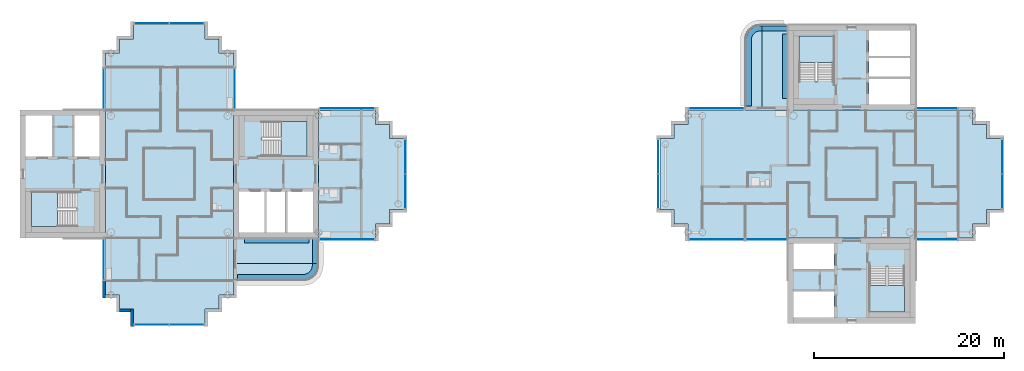
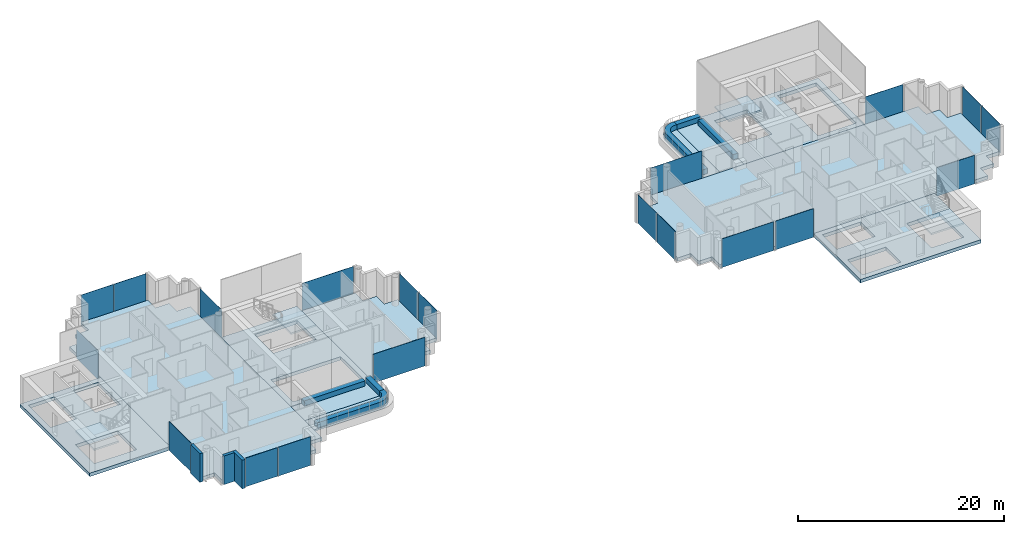
# One storey, part 5 of 18: 21 slabs, 20 plates, 3 walls, 19 elements without a shape of their own.
"""IFC4 building model written with IfcOpenShell, lengths in metres."""

from ifc_helpers import new_model, si_unit, direction, frame, frame_2d, origin, origin_2d, place, context, subcontext, project, spatial, polyline, rectangle, outline, extrude, material, layer, layer_set, type_object, element, aggregate, save


model = new_model("IFC4")

# Units and contexts
model_context = context("Model", 3, precision=1e-05, world=origin(), true_north=direction((0.0, 1.0)))
body_context = subcontext(model_context, "Body", "Model", "MODEL_VIEW")
ifc_project = project(units=[si_unit("LENGTHUNIT", "METRE"), si_unit("AREAUNIT", "SQUARE_METRE"), si_unit("VOLUMEUNIT", "CUBIC_METRE"), si_unit("PLANEANGLEUNIT", "RADIAN"), si_unit("MASSUNIT", "GRAM", prefix="KILO")], contexts=[model_context])

# Site, building, storey
site_placement = place(None, origin())
site = spatial("IfcSite", under=ifc_project, at=site_placement, CompositionType="ELEMENT")
building_placement = place(site_placement, origin())
building = spatial("IfcBuilding", under=site, at=building_placement, Name="Ipe Terrace Towers", CompositionType="ELEMENT")
storey_placement = place(building_placement, frame((0.0, 0.0, 226.60009765625)))
storey = spatial("IfcBuildingStorey", under=building, at=storey_placement, Name="L63", CompositionType="ELEMENT", Elevation=226.60009765625)

# Slabs
ifc_material_1 = material(Name="Concrete C30/37", Category="concrete")
ifc_layer_1 = layer(ifc_material_1, 0.199951171875)
ifc_layer_set_1 = layer_set([ifc_layer_1], Name="BALCONY SLAB 200")
slab_type_1 = type_object("IfcSlabType", Name="BALCONY SLAB 200", PredefinedType="FLOOR", material=ifc_layer_set_1)
slab_1_placement = place(storey_placement, frame((0.0, 0.0, -0.22021484375)))
element("IfcSlab", 1, at=slab_1_placement, inside=storey, type_object=slab_type_1, Name="balcony slab", PredefinedType="FLOOR", context=body_context, shape_type="SweptSolid", body=[
    extrude(outline(polyline([(-20.25, -6.75), (-29.25, -6.75), (-29.25, -9.449951171875), (-20.25, -9.449951171875), (-20.25, -6.75)])), origin(), (0.0, 0.0, 1.0), 0.2001953125),
])
slab_2_placement = place(storey_placement, frame((0.0, 0.0, -0.22021484375)))
element("IfcSlab", 2, at=slab_2_placement, inside=storey, type_object=slab_type_1, Name="balcony slab", PredefinedType="FLOOR", context=body_context, shape_type="SweptSolid", body=[
    extrude(outline(polyline([(-29.25, -11.25), (-21.85009765625, -11.25), (-21.64111328125, -11.236083984375), (-21.43603515625, -11.195068359375), (-21.238037109375, -11.1279296875), (-21.050048828125, -11.035888671875), (-20.8759765625, -10.9189453125), (-20.718994140625, -10.781005859375), (-20.5810546875, -10.6240234375), (-20.464111328125, -10.449951171875), (-20.3720703125, -10.261962890625), (-20.304931640625, -10.06396484375), (-20.263916015625, -9.85888671875), (-20.25, -9.64990234375), (-20.25, -9.449951171875), (-29.25, -9.449951171875), (-29.25, -11.25)])), origin(), (0.0, 0.0, 1.0), 0.2001953125),
])
slab_3_placement = place(storey_placement, frame((0.0, 0.0, -0.22021484375)))
element("IfcSlab", 3, at=slab_3_placement, inside=storey, type_object=slab_type_1, Name="balcony slab", PredefinedType="FLOOR", context=body_context, shape_type="SweptSolid", body=[
    extrude(outline(polyline([(29.25, 15.75), (26.550048828125, 15.75), (26.550048828125, 6.75), (29.25, 6.75), (29.25, 15.75)])), origin(), (0.0, 0.0, 1.0), 0.2001953125),
])
slab_4_placement = place(storey_placement, frame((0.0, 0.0, -0.22021484375)))
element("IfcSlab", 4, at=slab_4_placement, inside=storey, type_object=slab_type_1, Name="balcony slab", PredefinedType="FLOOR", context=body_context, shape_type="SweptSolid", body=[
    extrude(outline(polyline([(24.75, 6.75), (26.550048828125, 6.75), (26.550048828125, 15.75), (26.35009765625, 15.75), (26.14111328125, 15.736083984375), (25.93603515625, 15.695068359375), (25.738037109375, 15.6279296875), (25.550048828125, 15.535888671875), (25.3759765625, 15.4189453125), (25.218994140625, 15.281005859375), (25.0810546875, 15.1240234375), (24.964111328125, 14.949951171875), (24.8720703125, 14.761962890625), (24.804931640625, 14.56396484375), (24.763916015625, 14.35888671875), (24.75, 14.14990234375), (24.75, 6.75)])), origin(), (0.0, 0.0, 1.0), 0.2001953125),
])
ifc_material_2 = material(Name="Concrete C30/37", Category="concrete")
ifc_layer_2 = layer(ifc_material_2, 0.39990234375)
ifc_layer_set_2 = layer_set([ifc_layer_2], Name="CORE FLOOR SLAB 400 C30-37")
slab_type_2 = type_object("IfcSlabType", Name="CORE FLOOR SLAB 400 C30-37", PredefinedType="FLOOR", material=ifc_layer_set_2)
slab_5_placement = place(storey_placement, frame((0.0, 0.0, -0.400146484375)))
element("IfcSlab", 5, at=slab_5_placement, inside=storey, type_object=slab_type_2, Name="Core floor T1-C1", PredefinedType="FLOOR", context=body_context, shape_type="SweptSolid", body=[
    extrude(outline(polyline([(-29.25, -6.75), (-29.25, 6.75), (-20.25, 6.75), (-20.25, -6.75), (-29.25, -6.75)]), holes=[polyline([(-28.64990234375, -6.14990234375), (-20.85009765625, -6.14990234375), (-20.85009765625, -1.85009765625), (-28.64990234375, -1.85009765625), (-28.64990234375, -6.14990234375)]), polyline([(-26.199951171875, 5.550048828125), (-26.199951171875, 1.89990234375), (-21.449951171875, 1.89990234375), (-21.449951171875, 5.550048828125), (-26.199951171875, 5.550048828125)])]), origin(), (0.0, 0.0, 1.0), 0.400146484375),
])
slab_6_placement = place(storey_placement, frame((0.0, 0.0, -0.400146484375)))
element("IfcSlab", 6, at=slab_6_placement, inside=storey, type_object=slab_type_2, Name="Core floor T1-C2", PredefinedType="FLOOR", context=body_context, shape_type="SweptSolid", body=[
    extrude(outline(polyline([(-51.75, -6.75), (-51.75, 6.75), (-42.75, 6.75), (-42.75, -6.75), (-51.75, -6.75)]), holes=[polyline([(-45.800048828125, -1.89990234375), (-50.550048828125, -1.89990234375), (-50.550048828125, -5.550048828125), (-45.800048828125, -5.550048828125), (-45.800048828125, -1.89990234375)]), polyline([(-48.25, 1.85009765625), (-48.25, 6.14990234375), (-51.14990234375, 6.14990234375), (-51.14990234375, 1.85009765625), (-48.25, 1.85009765625)]), polyline([(-43.35009765625, 1.85009765625), (-43.35009765625, 6.14990234375), (-46.14990234375, 6.14990234375), (-46.14990234375, 1.85009765625), (-43.35009765625, 1.85009765625)])]), origin(), (0.0, 0.0, 1.0), 0.400146484375),
])
slab_7_placement = place(storey_placement, frame((0.0, 0.0, -0.400146484375)))
element("IfcSlab", 7, at=slab_7_placement, inside=storey, type_object=slab_type_2, Name="Core floor T2-C1", PredefinedType="FLOOR", context=body_context, shape_type="SweptSolid", body=[
    extrude(outline(polyline([(29.25, 6.75), (29.25, 15.75), (42.75, 15.75), (42.75, 6.75), (29.25, 6.75)]), holes=[polyline([(42.14990234375, 7.35009765625), (42.14990234375, 15.14990234375), (37.85009765625, 15.14990234375), (37.85009765625, 7.35009765625), (42.14990234375, 7.35009765625)]), polyline([(30.449951171875, 9.800048828125), (34.10009765625, 9.800048828125), (34.10009765625, 14.550048828125), (30.449951171875, 14.550048828125), (30.449951171875, 9.800048828125)])]), origin(), (0.0, 0.0, 1.0), 0.400146484375),
])
slab_8_placement = place(storey_placement, frame((0.0, 0.0, -0.400146484375)))
element("IfcSlab", 8, at=slab_8_placement, inside=storey, type_object=slab_type_2, Name="Core floor T2-C2", PredefinedType="FLOOR", context=body_context, shape_type="SweptSolid", body=[
    extrude(outline(polyline([(29.25, -15.75), (29.25, -6.75), (42.75, -6.75), (42.75, -15.75), (29.25, -15.75)]), holes=[polyline([(29.85009765625, -12.25), (29.85009765625, -15.14990234375), (34.14990234375, -15.14990234375), (34.14990234375, -12.25), (29.85009765625, -12.25)]), polyline([(41.550048828125, -9.800048828125), (37.89990234375, -9.800048828125), (37.89990234375, -14.550048828125), (41.550048828125, -14.550048828125), (41.550048828125, -9.800048828125)]), polyline([(34.14990234375, -7.35009765625), (29.85009765625, -7.35009765625), (29.85009765625, -10.14990234375), (34.14990234375, -10.14990234375), (34.14990234375, -7.35009765625)])]), origin(), (0.0, 0.0, 1.0), 0.400146484375),
])

# Stair, slab
ifc_material_3 = material(Name="Concrete C30/37", Category="concrete")
stair_type = type_object("IfcStairType", Name="Protected exit stair", PredefinedType="HALF_TURN_STAIR", material=ifc_material_3)
stair_1_placement = place(storey_placement, origin())
stair_1 = element("IfcStair", 9, at=stair_1_placement, inside=storey, type_object=stair_type, Name="L63 Exit stair T1-C1", PredefinedType="HALF_TURN_STAIR")
ifc_material_4 = material(Name="Concrete C30/37", Category="concrete")
ifc_layer_3 = layer(ifc_material_4, 0.199951171875)
ifc_layer_set_3 = layer_set([ifc_layer_3], Name="Exit stair landing 200")
slab_type_3 = type_object("IfcSlabType", Name="Exit stair landing 200", PredefinedType="LANDING", material=ifc_layer_set_3)
slab_9_placement = place(storey_placement, frame((0.0, 0.0, 1.5)))
slab_9 = element("IfcSlab", 10, at=slab_9_placement, type_object=slab_type_3, Name="T1-ST1 landing 1", PredefinedType="LANDING", context=body_context, shape_type="SweptSolid", body=[
    extrude(outline(polyline([(-24.219970703125, 1.89990234375), (-21.449951171875, 1.89990234375), (-21.449951171875, 5.550048828125), (-24.219970703125, 5.550048828125), (-24.219970703125, 1.89990234375)])), origin(), (0.0, 0.0, 1.0), 0.199951171875),
])
aggregate(stair_1, [slab_9])

stair_2_placement = place(storey_placement, origin())
stair_2 = element("IfcStair", 11, at=stair_2_placement, inside=storey, type_object=stair_type, Name="L63 Exit stair T1-C2", PredefinedType="HALF_TURN_STAIR")
slab_10_placement = place(storey_placement, frame((0.0, 0.0, 1.5)))
slab_10 = element("IfcSlab", 12, at=slab_10_placement, type_object=slab_type_3, Name="T1-ST2 landing 1", PredefinedType="LANDING", context=body_context, shape_type="SweptSolid", body=[
    extrude(outline(polyline([(-47.780029296875, -1.89990234375), (-50.550048828125, -1.89990234375), (-50.550048828125, -5.550048828125), (-47.780029296875, -5.550048828125), (-47.780029296875, -1.89990234375)])), origin(), (0.0, 0.0, 1.0), 0.199951171875),
])
aggregate(stair_2, [slab_10])

stair_3_placement = place(storey_placement, origin())
stair_3 = element("IfcStair", 13, at=stair_3_placement, inside=storey, type_object=stair_type, Name="L63 Exit stair T2-C1", PredefinedType="HALF_TURN_STAIR")
slab_11_placement = place(storey_placement, frame((0.0, 0.0, 1.5)))
slab_11 = element("IfcSlab", 14, at=slab_11_placement, type_object=slab_type_3, Name="T2-ST1 landing 1", PredefinedType="LANDING", context=body_context, shape_type="SweptSolid", body=[
    extrude(outline(polyline([(34.10009765625, 11.780029296875), (34.10009765625, 14.550048828125), (30.449951171875, 14.550048828125), (30.449951171875, 11.780029296875), (34.10009765625, 11.780029296875)])), origin(), (0.0, 0.0, 1.0), 0.199951171875),
])
aggregate(stair_3, [slab_11])

stair_4_placement = place(storey_placement, origin())
stair_4 = element("IfcStair", 15, at=stair_4_placement, inside=storey, type_object=stair_type, Name="L63 Exit stair T2-C2", PredefinedType="HALF_TURN_STAIR")
slab_12_placement = place(storey_placement, frame((0.0, 0.0, 1.5)))
slab_12 = element("IfcSlab", 16, at=slab_12_placement, type_object=slab_type_3, Name="T2-ST2 landing 1", PredefinedType="LANDING", context=body_context, shape_type="SweptSolid", body=[
    extrude(outline(polyline([(37.89990234375, -11.780029296875), (37.89990234375, -14.550048828125), (41.550048828125, -14.550048828125), (41.550048828125, -11.780029296875), (37.89990234375, -11.780029296875)])), origin(), (0.0, 0.0, 1.0), 0.199951171875),
])
aggregate(stair_4, [slab_12])

# Slabs
ifc_material_5 = material(Name="Concrete C40/50", Category="concrete")
ifc_layer_4 = layer(ifc_material_5, 0.39990234375)
ifc_layer_set_4 = layer_set([ifc_layer_4], Name="FLAT PLATE SLAB 400 C40-50")
slab_type_4 = type_object("IfcSlabType", Name="FLAT PLATE SLAB 400 C40-50", PredefinedType="FLOOR", material=ifc_layer_set_4)
slab_13_placement = place(storey_placement, frame((0.0, 0.0, -0.400146484375)))
element("IfcSlab", 17, at=slab_13_placement, inside=storey, type_object=slab_type_4, Name="Slab T1-FS-Z41", PredefinedType="FLOOR", context=body_context, shape_type="SweptSolid", body=[
    extrude(outline(polyline([(-30.75, -12.75), (-30.75, -14.25), (-32.25, -14.25), (-32.25, -15.75), (-39.75, -15.75), (-39.75, -14.25), (-41.25, -14.25), (-41.25, -12.75), (-42.75, -12.75), (-42.75, -6.75), (-42.75, 6.75), (-42.75, 12.75), (-41.25, 12.75), (-41.25, 14.25), (-39.75, 14.25), (-39.75, 15.75), (-32.25, 15.75), (-32.25, 14.25), (-30.75, 14.25), (-30.75, 12.75), (-29.25, 12.75), (-29.25, 6.75), (-29.25, -6.75), (-29.25, -12.75), (-30.75, -12.75)])), origin(), (0.0, 0.0, 1.0), 0.400146484375),
])
slab_14_placement = place(storey_placement, frame((0.0, 0.0, -0.400146484375)))
element("IfcSlab", 18, at=slab_14_placement, inside=storey, type_object=slab_type_4, Name="Slab T1-FS-Z42", PredefinedType="FLOOR", context=body_context, shape_type="SweptSolid", body=[
    extrude(outline(polyline([(-14.25, 5.25), (-12.75, 5.25), (-12.75, 3.75), (-11.25, 3.75), (-11.25, -3.75), (-12.75, -3.75), (-12.75, -5.25), (-14.25, -5.25), (-14.25, -6.75), (-20.25, -6.75), (-20.25, 6.75), (-14.25, 6.75), (-14.25, 5.25)])), origin(), (0.0, 0.0, 1.0), 0.400146484375),
])
slab_15_placement = place(storey_placement, frame((0.0, 0.0, -0.400146484375)))
element("IfcSlab", 19, at=slab_15_placement, inside=storey, type_object=slab_type_4, Name="Slab T2-FS-Z41", PredefinedType="FLOOR", context=body_context, shape_type="SweptSolid", body=[
    extrude(outline(polyline([(48.75, 5.25), (50.25, 5.25), (50.25, 3.75), (51.75, 3.75), (51.75, -3.75), (50.25, -3.75), (50.25, -5.25), (48.75, -5.25), (48.75, -6.75), (42.75, -6.75), (29.25, -6.75), (18.75, -6.75), (18.75, -5.25), (17.25, -5.25), (17.25, -3.75), (15.75, -3.75), (15.75, 3.75), (17.25, 3.75), (17.25, 5.25), (18.75, 5.25), (18.75, 6.75), (29.25, 6.75), (42.75, 6.75), (48.75, 6.75), (48.75, 5.25)])), origin(), (0.0, 0.0, 1.0), 0.400146484375),
])
ifc_material_6 = material(Name="Concrete C30/37", Category="concrete")
ifc_layer_5 = layer(ifc_material_6, 0.60009765625)
ifc_layer_set_5 = layer_set([ifc_layer_5], Name="PLANTER TROUGH 550 x 600")
slab_type_5 = type_object("IfcSlabType", Name="PLANTER TROUGH 550 x 600", PredefinedType="USERDEFINED", material=ifc_layer_set_5)
slab_16_placement = place(storey_placement, frame((0.0, 0.0, -0.02001953125)))
element("IfcSlab", 20, at=slab_16_placement, inside=storey, type_object=slab_type_5, Name="planter", ObjectType="PLANTER", PredefinedType="USERDEFINED", context=body_context, shape_type="SweptSolid", body=[
    extrude(outline(polyline([(-20.360107421875, -6.75), (-20.909912109375, -6.75), (-20.909912109375, -9.449951171875), (-20.360107421875, -9.449951171875), (-20.360107421875, -6.75)])), origin(), (0.0, 0.0, 1.0), 0.599853515625),
])
slab_17_placement = place(storey_placement, frame((0.0, 0.0, -0.02001953125)))
element("IfcSlab", 21, at=slab_17_placement, inside=storey, type_object=slab_type_5, Name="planter", ObjectType="PLANTER", PredefinedType="USERDEFINED", context=body_context, shape_type="SweptSolid", body=[
    extrude(outline(polyline([(-20.943115234375, -9.89306640625), (-20.98291015625, -10.009033203125), (-21.037109375, -10.118896484375), (-21.10498046875, -10.220947265625), (-21.18603515625, -10.31396484375), (-21.279052734375, -10.39501953125), (-21.381103515625, -10.462890625), (-21.490966796875, -10.51708984375), (-21.60693359375, -10.556884765625), (-21.72705078125, -10.5810546875), (-21.8720703125, -10.590087890625), (-28.800048828125, -10.590087890625), (-28.800048828125, -11.139892578125), (-21.863037109375, -11.139892578125), (-21.844970703125, -11.138916015625), (-21.674072265625, -11.1279296875), (-21.637939453125, -11.1240234375), (-21.48193359375, -11.093017578125), (-21.447021484375, -11.0830078125), (-21.297119140625, -11.031982421875), (-21.263916015625, -11.01806640625), (-21.12109375, -10.947998046875), (-21.090087890625, -10.929931640625), (-20.9580078125, -10.842041015625), (-20.929931640625, -10.820068359375), (-20.81005859375, -10.715087890625), (-20.784912109375, -10.68994140625), (-20.679931640625, -10.570068359375), (-20.657958984375, -10.5419921875), (-20.570068359375, -10.409912109375), (-20.552001953125, -10.37890625), (-20.48193359375, -10.236083984375), (-20.468017578125, -10.202880859375), (-20.4169921875, -10.052978515625), (-20.406982421875, -10.01806640625), (-20.3759765625, -9.862060546875), (-20.3720703125, -9.825927734375), (-20.361083984375, -9.655029296875), (-20.360107421875, -9.636962890625), (-20.360107421875, -9.449951171875), (-20.909912109375, -9.449951171875), (-20.909912109375, -9.6279296875), (-20.9189453125, -9.77294921875), (-20.943115234375, -9.89306640625)])), origin(), (0.0, 0.0, 1.0), 0.599853515625),
])
slab_18_placement = place(storey_placement, frame((0.0, 0.0, -0.02001953125)))
element("IfcSlab", 22, at=slab_18_placement, inside=storey, type_object=slab_type_5, Name="planter", ObjectType="PLANTER", PredefinedType="USERDEFINED", context=body_context, shape_type="SweptSolid", body=[
    extrude(outline(polyline([(-28.050048828125, -6.75), (-28.050048828125, -7.300048828125), (-21.25, -7.300048828125), (-21.25, -6.75), (-28.050048828125, -6.75)])), origin(), (0.0, 0.0, 1.0), 0.599853515625),
])
slab_19_placement = place(storey_placement, frame((0.0, 0.0, -0.02001953125)))
element("IfcSlab", 23, at=slab_19_placement, inside=storey, type_object=slab_type_5, Name="planter", ObjectType="PLANTER", PredefinedType="USERDEFINED", context=body_context, shape_type="SweptSolid", body=[
    extrude(outline(polyline([(29.25, 15.639892578125), (26.550048828125, 15.639892578125), (26.550048828125, 15.090087890625), (29.25, 15.090087890625), (29.25, 15.639892578125)])), origin(), (0.0, 0.0, 1.0), 0.599853515625),
])
slab_20_placement = place(storey_placement, frame((0.0, 0.0, -0.02001953125)))
element("IfcSlab", 24, at=slab_20_placement, inside=storey, type_object=slab_type_5, Name="planter", ObjectType="PLANTER", PredefinedType="USERDEFINED", context=body_context, shape_type="SweptSolid", body=[
    extrude(outline(polyline([(26.10693359375, 15.056884765625), (26.22705078125, 15.0810546875), (26.3720703125, 15.090087890625), (26.550048828125, 15.090087890625), (26.550048828125, 15.639892578125), (26.363037109375, 15.639892578125), (26.344970703125, 15.638916015625), (26.174072265625, 15.6279296875), (26.137939453125, 15.6240234375), (25.98193359375, 15.593017578125), (25.947021484375, 15.5830078125), (25.797119140625, 15.531982421875), (25.763916015625, 15.51806640625), (25.62109375, 15.447998046875), (25.590087890625, 15.429931640625), (25.4580078125, 15.342041015625), (25.429931640625, 15.320068359375), (25.31005859375, 15.215087890625), (25.284912109375, 15.18994140625), (25.179931640625, 15.070068359375), (25.157958984375, 15.0419921875), (25.070068359375, 14.909912109375), (25.052001953125, 14.87890625), (24.98193359375, 14.736083984375), (24.968017578125, 14.702880859375), (24.9169921875, 14.552978515625), (24.906982421875, 14.51806640625), (24.8759765625, 14.362060546875), (24.8720703125, 14.325927734375), (24.861083984375, 14.155029296875), (24.860107421875, 14.136962890625), (24.860107421875, 7.199951171875), (25.409912109375, 7.199951171875), (25.409912109375, 14.1279296875), (25.4189453125, 14.27294921875), (25.443115234375, 14.39306640625), (25.48291015625, 14.509033203125), (25.537109375, 14.618896484375), (25.60498046875, 14.720947265625), (25.68603515625, 14.81396484375), (25.779052734375, 14.89501953125), (25.881103515625, 14.962890625), (25.990966796875, 15.01708984375), (26.10693359375, 15.056884765625)])), origin(), (0.0, 0.0, 1.0), 0.599853515625),
])
slab_21_placement = place(storey_placement, frame((0.0, 0.0, -0.02001953125)))
element("IfcSlab", 25, at=slab_21_placement, inside=storey, type_object=slab_type_5, Name="planter", ObjectType="PLANTER", PredefinedType="USERDEFINED", context=body_context, shape_type="SweptSolid", body=[
    extrude(outline(polyline([(29.25, 7.949951171875), (29.25, 14.75), (28.699951171875, 14.75), (28.699951171875, 7.949951171875), (29.25, 7.949951171875)])), origin(), (0.0, 0.0, 1.0), 0.599853515625),
])

# Curtain wall, plate
ifc_material_7 = material(Name="Aluminium alloy 6063-T6", Category="aluminium")
ifc_layer_6 = layer(ifc_material_7, 0.320068359375)
ifc_layer_set_6 = layer_set([ifc_layer_6], Name="TOWER UNITISED CURTAIN WALL")
curtain_wall_type = type_object("IfcCurtainWallType", Name="TOWER UNITISED CURTAIN WALL", PredefinedType="NOTDEFINED", material=ifc_layer_set_6)
curtain_wall_1_placement = place(storey_placement, origin())
curtain_wall_1 = element("IfcCurtainWall", 26, at=curtain_wall_1_placement, inside=storey, type_object=curtain_wall_type, Name="T1-CW-L63-02a curtain wall", PredefinedType="NOTDEFINED")
ifc_material_8 = material(Name="Glass, clear laminated", Category="glass")
ifc_layer_7 = layer(ifc_material_8, 0.031982421875)
ifc_layer_set_7 = layer_set([ifc_layer_7], Name="TOWER UNITISED GLASS PANEL 32")
plate_type = type_object("IfcPlateType", Name="TOWER UNITISED GLASS PANEL 32", PredefinedType="CURTAIN_PANEL", material=ifc_layer_set_7)
plate_1_placement = place(storey_placement, frame((-42.909912109375, -9.0, -0.300048828125), z_axis=(0.0, 0.0, 1.0), x_axis=(0.0, -1.0, 0.0)))
plate_1 = element("IfcPlate", 27, at=plate_1_placement, type_object=plate_type, Name="T1-CW-L63-02a panel 1", PredefinedType="CURTAIN_PANEL", context=body_context, shape_type="SweptSolid", body=[
    extrude(rectangle(XDim=4.260009765625, YDim=0.031982421875, at=origin_2d()), origin(), (0.0, 0.0, 1.0), 3.39990234375),
])
aggregate(curtain_wall_1, [plate_1])

# Curtain wall, plates
curtain_wall_2_placement = place(storey_placement, origin())
curtain_wall_2 = element("IfcCurtainWall", 28, at=curtain_wall_2_placement, inside=storey, type_object=curtain_wall_type, Name="T1-CW-L63-08a curtain wall", PredefinedType="NOTDEFINED")
plate_2_placement = place(storey_placement, frame((-37.831298828125, -15.909912109375, -0.300048828125), z_axis=(0.0, 0.0, 1.0), x_axis=(1.0, 0.0, 0.0)))
plate_2 = element("IfcPlate", 29, at=plate_2_placement, type_object=plate_type, Name="T1-CW-L63-08a panel 1", PredefinedType="CURTAIN_PANEL", context=body_context, shape_type="SweptSolid", body=[
    extrude(rectangle(XDim=3.597412109375, YDim=0.031982421875, at=origin_2d()), origin(), (0.0, 0.0, 1.0), 3.39990234375),
])
plate_3_placement = place(storey_placement, frame((-34.168701171875, -15.909912109375, -0.300048828125), z_axis=(0.0, 0.0, 1.0), x_axis=(1.0, 0.0, 0.0)))
plate_3 = element("IfcPlate", 30, at=plate_3_placement, type_object=plate_type, Name="T1-CW-L63-08a panel 2", PredefinedType="CURTAIN_PANEL", context=body_context, shape_type="SweptSolid", body=[
    extrude(rectangle(XDim=3.597412109375, YDim=0.031982421875, at=origin_2d()), origin(), (0.0, 0.0, 1.0), 3.39990234375),
])
aggregate(curtain_wall_2, [plate_2, plate_3])

# Curtain wall, plate
curtain_wall_3_placement = place(storey_placement, origin())
curtain_wall_3 = element("IfcCurtainWall", 31, at=curtain_wall_3_placement, inside=storey, type_object=curtain_wall_type, Name="T1-CW-L63-16b curtain wall", PredefinedType="NOTDEFINED")
plate_4_placement = place(storey_placement, frame((-17.24951171875, -6.909912109375, -0.300048828125), z_axis=(0.0, 0.0, 1.0), x_axis=(1.0, 0.0, 0.0)))
plate_4 = element("IfcPlate", 32, at=plate_4_placement, type_object=plate_type, Name="T1-CW-L63-16b panel 1", PredefinedType="CURTAIN_PANEL", context=body_context, shape_type="SweptSolid", body=[
    extrude(rectangle(XDim=5.759033203125, YDim=0.031982421875, at=origin_2d()), origin(), (0.0, 0.0, 1.0), 3.39990234375),
])
aggregate(curtain_wall_3, [plate_4])

# Curtain wall, plates
curtain_wall_4_placement = place(storey_placement, origin())
curtain_wall_4 = element("IfcCurtainWall", 33, at=curtain_wall_4_placement, inside=storey, type_object=curtain_wall_type, Name="T1-CW-L63-21a curtain wall", PredefinedType="NOTDEFINED")
plate_5_placement = place(storey_placement, frame((-11.090087890625, -1.831298828125, -0.300048828125), z_axis=(0.0, 0.0, 1.0), x_axis=(0.0, 1.0, 0.0)))
plate_5 = element("IfcPlate", 34, at=plate_5_placement, type_object=plate_type, Name="T1-CW-L63-21a panel 1", PredefinedType="CURTAIN_PANEL", context=body_context, shape_type="SweptSolid", body=[
    extrude(rectangle(XDim=3.597412109375, YDim=0.031982421875, at=origin_2d()), origin(), (0.0, 0.0, 1.0), 3.39990234375),
])
plate_6_placement = place(storey_placement, frame((-11.090087890625, 1.831298828125, -0.300048828125), z_axis=(0.0, 0.0, 1.0), x_axis=(0.0, 1.0, 0.0)))
plate_6 = element("IfcPlate", 35, at=plate_6_placement, type_object=plate_type, Name="T1-CW-L63-21a panel 2", PredefinedType="CURTAIN_PANEL", context=body_context, shape_type="SweptSolid", body=[
    extrude(rectangle(XDim=3.597412109375, YDim=0.031982421875, at=origin_2d()), origin(), (0.0, 0.0, 1.0), 3.39990234375),
])
aggregate(curtain_wall_4, [plate_5, plate_6])

# Curtain wall, plate
curtain_wall_5_placement = place(storey_placement, origin())
curtain_wall_5 = element("IfcCurtainWall", 36, at=curtain_wall_5_placement, inside=storey, type_object=curtain_wall_type, Name="T1-CW-L63-26a curtain wall", PredefinedType="NOTDEFINED")
plate_7_placement = place(storey_placement, frame((-17.24951171875, 6.909912109375, -0.300048828125), z_axis=(0.0, 0.0, 1.0), x_axis=(-1.0, 0.0, 0.0)))
plate_7 = element("IfcPlate", 37, at=plate_7_placement, type_object=plate_type, Name="T1-CW-L63-26a panel 1", PredefinedType="CURTAIN_PANEL", context=body_context, shape_type="SweptSolid", body=[
    extrude(rectangle(XDim=5.759033203125, YDim=0.031982421875, at=origin_2d()), origin(), (0.0, 0.0, 1.0), 3.39990234375),
])
aggregate(curtain_wall_5, [plate_7])

curtain_wall_6_placement = place(storey_placement, origin())
curtain_wall_6 = element("IfcCurtainWall", 38, at=curtain_wall_6_placement, inside=storey, type_object=curtain_wall_type, Name="T1-CW-L63-28a curtain wall", PredefinedType="NOTDEFINED")
plate_8_placement = place(storey_placement, frame((-29.090087890625, 9.0, -0.300048828125), z_axis=(0.0, 0.0, 1.0), x_axis=(0.0, 1.0, 0.0)))
plate_8 = element("IfcPlate", 39, at=plate_8_placement, type_object=plate_type, Name="T1-CW-L63-28a panel 1", PredefinedType="CURTAIN_PANEL", context=body_context, shape_type="SweptSolid", body=[
    extrude(rectangle(XDim=4.260009765625, YDim=0.031982421875, at=origin_2d()), origin(), (0.0, 0.0, 1.0), 3.39990234375),
])
aggregate(curtain_wall_6, [plate_8])

# Curtain wall, plates
curtain_wall_7_placement = place(storey_placement, origin())
curtain_wall_7 = element("IfcCurtainWall", 40, at=curtain_wall_7_placement, inside=storey, type_object=curtain_wall_type, Name="T1-CW-L63-34a curtain wall", PredefinedType="NOTDEFINED")
plate_9_placement = place(storey_placement, frame((-34.168701171875, 15.909912109375, -0.300048828125), z_axis=(0.0, 0.0, 1.0), x_axis=(-1.0, 0.0, 0.0)))
plate_9 = element("IfcPlate", 41, at=plate_9_placement, type_object=plate_type, Name="T1-CW-L63-34a panel 1", PredefinedType="CURTAIN_PANEL", context=body_context, shape_type="SweptSolid", body=[
    extrude(rectangle(XDim=3.597412109375, YDim=0.031982421875, at=origin_2d()), origin(), (0.0, 0.0, 1.0), 3.39990234375),
])
plate_10_placement = place(storey_placement, frame((-37.831298828125, 15.909912109375, -0.300048828125), z_axis=(0.0, 0.0, 1.0), x_axis=(-1.0, 0.0, 0.0)))
plate_10 = element("IfcPlate", 42, at=plate_10_placement, type_object=plate_type, Name="T1-CW-L63-34a panel 2", PredefinedType="CURTAIN_PANEL", context=body_context, shape_type="SweptSolid", body=[
    extrude(rectangle(XDim=3.597412109375, YDim=0.031982421875, at=origin_2d()), origin(), (0.0, 0.0, 1.0), 3.39990234375),
])
aggregate(curtain_wall_7, [plate_9, plate_10])

# Curtain wall, plate
curtain_wall_8_placement = place(storey_placement, origin())
curtain_wall_8 = element("IfcCurtainWall", 43, at=curtain_wall_8_placement, inside=storey, type_object=curtain_wall_type, Name="T1-CW-L63-40a curtain wall", PredefinedType="NOTDEFINED")
plate_11_placement = place(storey_placement, frame((-42.909912109375, 9.0, -0.300048828125), z_axis=(0.0, 0.0, 1.0), x_axis=(0.0, -1.0, 0.0)))
plate_11 = element("IfcPlate", 44, at=plate_11_placement, type_object=plate_type, Name="T1-CW-L63-40a panel 1", PredefinedType="CURTAIN_PANEL", context=body_context, shape_type="SweptSolid", body=[
    extrude(rectangle(XDim=4.260009765625, YDim=0.031982421875, at=origin_2d()), origin(), (0.0, 0.0, 1.0), 3.39990234375),
])
aggregate(curtain_wall_8, [plate_11])

curtain_wall_9_placement = place(storey_placement, origin())
curtain_wall_9 = element("IfcCurtainWall", 45, at=curtain_wall_9_placement, inside=storey, type_object=curtain_wall_type, Name="T2-CW-L63-02a curtain wall", PredefinedType="NOTDEFINED")
plate_12_placement = place(storey_placement, frame((45.0, -6.909912109375, -0.300048828125), z_axis=(0.0, 0.0, 1.0), x_axis=(1.0, 0.0, 0.0)))
plate_12 = element("IfcPlate", 46, at=plate_12_placement, type_object=plate_type, Name="T2-CW-L63-02a panel 1", PredefinedType="CURTAIN_PANEL", context=body_context, shape_type="SweptSolid", body=[
    extrude(rectangle(XDim=4.260009765625, YDim=0.031982421875, at=origin_2d()), origin(), (0.0, 0.0, 1.0), 3.39990234375),
])
aggregate(curtain_wall_9, [plate_12])

# Curtain wall, plates
curtain_wall_10_placement = place(storey_placement, origin())
curtain_wall_10 = element("IfcCurtainWall", 47, at=curtain_wall_10_placement, inside=storey, type_object=curtain_wall_type, Name="T2-CW-L63-08a curtain wall", PredefinedType="NOTDEFINED")
plate_13_placement = place(storey_placement, frame((51.909912109375, -1.831298828125, -0.300048828125), z_axis=(0.0, 0.0, 1.0), x_axis=(0.0, 1.0, 0.0)))
plate_13 = element("IfcPlate", 48, at=plate_13_placement, type_object=plate_type, Name="T2-CW-L63-08a panel 1", PredefinedType="CURTAIN_PANEL", context=body_context, shape_type="SweptSolid", body=[
    extrude(rectangle(XDim=3.597412109375, YDim=0.031982421875, at=origin_2d()), origin(), (0.0, 0.0, 1.0), 3.39990234375),
])
plate_14_placement = place(storey_placement, frame((51.909912109375, 1.831298828125, -0.300048828125), z_axis=(0.0, 0.0, 1.0), x_axis=(0.0, 1.0, 0.0)))
plate_14 = element("IfcPlate", 49, at=plate_14_placement, type_object=plate_type, Name="T2-CW-L63-08a panel 2", PredefinedType="CURTAIN_PANEL", context=body_context, shape_type="SweptSolid", body=[
    extrude(rectangle(XDim=3.597412109375, YDim=0.031982421875, at=origin_2d()), origin(), (0.0, 0.0, 1.0), 3.39990234375),
])
aggregate(curtain_wall_10, [plate_13, plate_14])

# Curtain wall, plate
curtain_wall_11_placement = place(storey_placement, origin())
curtain_wall_11 = element("IfcCurtainWall", 50, at=curtain_wall_11_placement, inside=storey, type_object=curtain_wall_type, Name="T2-CW-L63-14a curtain wall", PredefinedType="NOTDEFINED")
plate_15_placement = place(storey_placement, frame((45.0, 6.909912109375, -0.300048828125), z_axis=(0.0, 0.0, 1.0), x_axis=(-1.0, 0.0, 0.0)))
plate_15 = element("IfcPlate", 51, at=plate_15_placement, type_object=plate_type, Name="T2-CW-L63-14a panel 1", PredefinedType="CURTAIN_PANEL", context=body_context, shape_type="SweptSolid", body=[
    extrude(rectangle(XDim=4.260009765625, YDim=0.031982421875, at=origin_2d()), origin(), (0.0, 0.0, 1.0), 3.39990234375),
])
aggregate(curtain_wall_11, [plate_15])

curtain_wall_12_placement = place(storey_placement, origin())
curtain_wall_12 = element("IfcCurtainWall", 52, at=curtain_wall_12_placement, inside=storey, type_object=curtain_wall_type, Name="T2-CW-L63-21a curtain wall", PredefinedType="NOTDEFINED")
plate_16_placement = place(storey_placement, frame((21.75, 6.909912109375, -0.300048828125), z_axis=(0.0, 0.0, 1.0), x_axis=(-1.0, 0.0, 0.0)))
plate_16 = element("IfcPlate", 53, at=plate_16_placement, type_object=plate_type, Name="T2-CW-L63-21a panel 1", PredefinedType="CURTAIN_PANEL", context=body_context, shape_type="SweptSolid", body=[
    extrude(rectangle(XDim=5.760009765625, YDim=0.031982421875, at=origin_2d()), origin(), (0.0, 0.0, 1.0), 3.39990234375),
])
aggregate(curtain_wall_12, [plate_16])

# Curtain wall, plates
curtain_wall_13_placement = place(storey_placement, origin())
curtain_wall_13 = element("IfcCurtainWall", 54, at=curtain_wall_13_placement, inside=storey, type_object=curtain_wall_type, Name="T2-CW-L63-26a curtain wall", PredefinedType="NOTDEFINED")
plate_17_placement = place(storey_placement, frame((15.590087890625, 1.831298828125, -0.300048828125), z_axis=(0.0, 0.0, 1.0), x_axis=(0.0, -1.0, 0.0)))
plate_17 = element("IfcPlate", 55, at=plate_17_placement, type_object=plate_type, Name="T2-CW-L63-26a panel 1", PredefinedType="CURTAIN_PANEL", context=body_context, shape_type="SweptSolid", body=[
    extrude(rectangle(XDim=3.597412109375, YDim=0.031982421875, at=origin_2d()), origin(), (0.0, 0.0, 1.0), 3.39990234375),
])
plate_18_placement = place(storey_placement, frame((15.590087890625, -1.831298828125, -0.300048828125), z_axis=(0.0, 0.0, 1.0), x_axis=(0.0, -1.0, 0.0)))
plate_18 = element("IfcPlate", 56, at=plate_18_placement, type_object=plate_type, Name="T2-CW-L63-26a panel 2", PredefinedType="CURTAIN_PANEL", context=body_context, shape_type="SweptSolid", body=[
    extrude(rectangle(XDim=3.597412109375, YDim=0.031982421875, at=origin_2d()), origin(), (0.0, 0.0, 1.0), 3.39990234375),
])
aggregate(curtain_wall_13, [plate_17, plate_18])

# Curtain wall, plate
curtain_wall_14_placement = place(storey_placement, origin())
curtain_wall_14 = element("IfcCurtainWall", 57, at=curtain_wall_14_placement, inside=storey, type_object=curtain_wall_type, Name="T2-CW-L63-31a curtain wall", PredefinedType="NOTDEFINED")
plate_19_placement = place(storey_placement, frame((21.75, -6.909912109375, -0.300048828125), z_axis=(0.0, 0.0, 1.0), x_axis=(1.0, 0.0, 0.0)))
plate_19 = element("IfcPlate", 58, at=plate_19_placement, type_object=plate_type, Name="T2-CW-L63-31a panel 1", PredefinedType="CURTAIN_PANEL", context=body_context, shape_type="SweptSolid", body=[
    extrude(rectangle(XDim=5.760009765625, YDim=0.031982421875, at=origin_2d()), origin(), (0.0, 0.0, 1.0), 3.39990234375),
])
aggregate(curtain_wall_14, [plate_19])

curtain_wall_15_placement = place(storey_placement, origin())
curtain_wall_15 = element("IfcCurtainWall", 59, at=curtain_wall_15_placement, inside=storey, type_object=curtain_wall_type, Name="T2-CW-L63-32a curtain wall", PredefinedType="NOTDEFINED")
plate_20_placement = place(storey_placement, frame((27.0, -6.909912109375, -0.300048828125), z_axis=(0.0, 0.0, 1.0), x_axis=(1.0, 0.0, 0.0)))
plate_20 = element("IfcPlate", 60, at=plate_20_placement, type_object=plate_type, Name="T2-CW-L63-32a panel 1", PredefinedType="CURTAIN_PANEL", context=body_context, shape_type="SweptSolid", body=[
    extrude(rectangle(XDim=4.260009765625, YDim=0.031982421875, at=origin_2d()), origin(), (0.0, 0.0, 1.0), 3.39990234375),
])
aggregate(curtain_wall_15, [plate_20])

# Walls
ifc_material_9 = material(Name="Concrete C40/50 with buff precast cladding", Category="concrete")
ifc_layer_8 = layer(ifc_material_9, 0.320068359375)
ifc_layer_set_8 = layer_set([ifc_layer_8], Name="BUFF CLADDING WALL 320")
wall_type = type_object("IfcWallType", Name="BUFF CLADDING WALL 320", PredefinedType="STANDARD", material=ifc_layer_set_8)
wall_1_placement = place(storey_placement, frame((-42.909912109375, -11.25, -0.300048828125), z_axis=(0.0, 0.0, 1.0), x_axis=(0.0, -1.0, 0.0)))
element("IfcWall", 61, at=wall_1_placement, inside=storey, type_object=wall_type, Name="T1-W-L63-03a wall", PredefinedType="STANDARD", context=body_context, shape_type="SweptSolid", body=[
    extrude(rectangle(XDim=1.820068359375, YDim=0.320068359375, at=frame_2d((0.91015625, 0.0))), origin(), (0.0, 0.0, 1.0), 3.39990234375),
])
wall_2_placement = place(storey_placement, frame((-41.25, -14.409912109375, -0.300048828125), z_axis=(0.0, 0.0, 1.0), x_axis=(1.0, 0.0, 0.0)))
element("IfcWall", 62, at=wall_2_placement, inside=storey, type_object=wall_type, Name="T1-W-L63-06a wall", PredefinedType="STANDARD", context=body_context, shape_type="SweptSolid", body=[
    extrude(rectangle(XDim=1.179931640625, YDim=0.320068359375, at=frame_2d((0.58984375, 0.0))), origin(), (0.0, 0.0, 1.0), 3.39990234375),
])
wall_3_placement = place(storey_placement, frame((-39.909912109375, -14.25, -0.300048828125), z_axis=(0.0, 0.0, 1.0), x_axis=(0.0, -1.0, 0.0)))
element("IfcWall", 63, at=wall_3_placement, inside=storey, type_object=wall_type, Name="T1-W-L63-07a wall", PredefinedType="STANDARD", context=body_context, shape_type="SweptSolid", body=[
    extrude(rectangle(XDim=1.820068359375, YDim=0.320068359375, at=frame_2d((0.91015625, 0.0))), origin(), (0.0, 0.0, 1.0), 3.39990234375),
])

save(model, "model.ifc")
